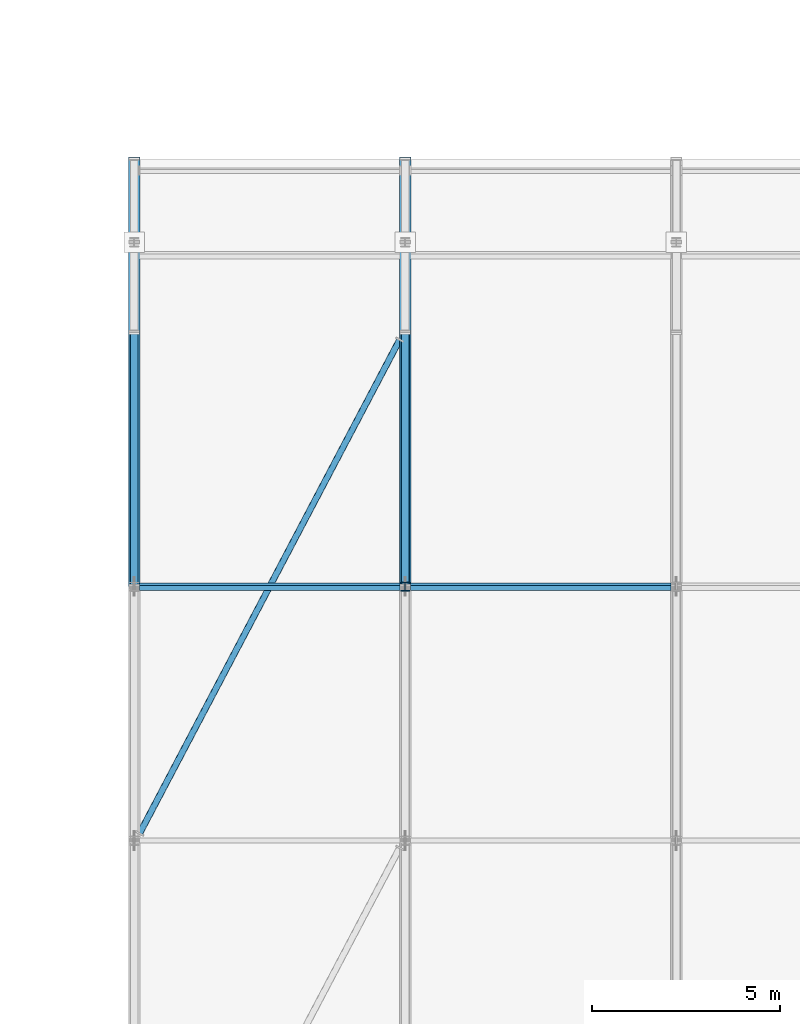
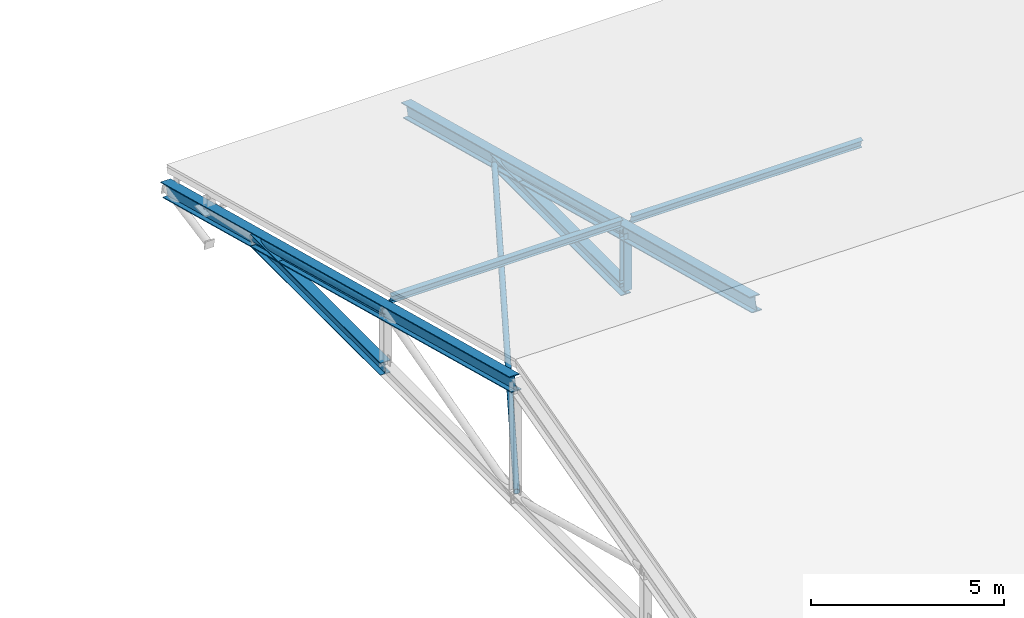
# One storey, part 2 of 57: 8 members, 2 beams.
"""IFC4 building model written with IfcOpenShell, lengths in metres."""

import ifcopenshell
import ifcopenshell.guid

model = None  # the IFC model being written
_history = None  # IfcOwnerHistory: only IFC2X3 demands one
_inside = {}  # id of a spatial element -> (the spatial element, [elements in it])
_under = {}  # id of a project, library or spatial element -> (it, [spatial elements below it])
_declared = {}  # id of a project -> (the project, [libraries it declares])
_typed = {}  # id of a type object -> (the type object, [elements of that type])
_made_of = {}  # id of a material, layer set ... -> (it, [elements and type objects made of it])


def new_model(schema):
    """Start an empty IFC model of exactly this schema.

    Asked for "IFC4X3", IfcOpenShell would pick the latest addendum, in which some entities
    have other attributes; the version numbers below select the first issue.
    IFC2X3 requires an IfcOwnerHistory on every rooted entity: one is made here for all.
    """
    global model, _history
    if schema == "IFC4X3":
        model = ifcopenshell.file(schema_version=(4, 3, 0, 0))
    else:
        model = ifcopenshell.file(schema=schema)
    _inside.clear()
    _under.clear()
    _declared.clear()
    _typed.clear()
    _made_of.clear()
    _history = None
    if model.schema == "IFC2X3":
        org = make("IfcOrganization", Name="unknown")
        user = make(
            "IfcPersonAndOrganization",
            ThePerson=make("IfcPerson", FamilyName="unknown"),
            TheOrganization=org,
        )
        app = make(
            "IfcApplication",
            ApplicationDeveloper=org,
            Version="unknown",
            ApplicationFullName="unknown",
            ApplicationIdentifier="unknown",
        )
        _history = make(
            "IfcOwnerHistory",
            OwningUser=user,
            OwningApplication=app,
            ChangeAction="ADDED",
            CreationDate=0,
        )
    return model


def make(cls, **values):
    """One entity of the class cls with the attributes given. An attribute that is None is left unset."""
    return model.create_entity(
        cls, **{name: value for name, value in values.items() if value is not None}
    )


def rooted(cls, **values):
    """An entity with a GlobalId (a new one), such as an element, a storey or a relation."""
    return make(cls, GlobalId=ifcopenshell.guid.new(), OwnerHistory=_history, **values)


def si_unit(unit_type, name, prefix=None):
    """IfcSIUnit, for example si_unit("LENGTHUNIT", "METRE", prefix="MILLI")."""
    return make("IfcSIUnit", UnitType=unit_type, Prefix=prefix, Name=name)


def assignment(units):
    """IfcUnitAssignment: the units of a project."""
    return None if units is None else make("IfcUnitAssignment", Units=units)


def point(xyz):
    """IfcCartesianPoint."""
    return None if xyz is None else make("IfcCartesianPoint", Coordinates=xyz)


def direction(xyz):
    """IfcDirection."""
    return None if xyz is None else make("IfcDirection", DirectionRatios=xyz)


def frame(location, z_axis=None, x_axis=None):
    """IfcAxis2Placement3D, a coordinate frame: its origin and axes. An axis left out is left unset."""
    return make(
        "IfcAxis2Placement3D",
        Location=point(location),
        Axis=direction(z_axis),
        RefDirection=direction(x_axis),
    )


def frame_2d(location, x_axis=None):
    """IfcAxis2Placement2D, a coordinate frame in the plane: its origin and x axis."""
    return make(
        "IfcAxis2Placement2D", Location=point(location), RefDirection=direction(x_axis)
    )


def origin():
    """The frame at (0, 0, 0) with its axes left unset."""
    return frame((0.0, 0.0, 0.0))


def origin_2d():
    """The frame at (0, 0) in the plane with its x axis left unset."""
    return frame_2d((0.0, 0.0))


def place(relative_to, where):
    """IfcLocalPlacement: puts the frame where relative to a parent placement (None: the world)."""
    return make(
        "IfcLocalPlacement", PlacementRelTo=relative_to, RelativePlacement=where
    )


def context(
    kind, dimensions, precision=None, world=None, true_north=None, identifier=None
):
    """IfcGeometricRepresentationContext, for example the 3D "Model" context."""
    return make(
        "IfcGeometricRepresentationContext",
        ContextIdentifier=identifier,
        ContextType=kind,
        CoordinateSpaceDimension=dimensions,
        Precision=precision,
        WorldCoordinateSystem=world,
        TrueNorth=true_north,
    )


def subcontext(parent, identifier, kind, view, scale=None):
    """IfcGeometricRepresentationSubContext, for example "Body" below "Model"."""
    return make(
        "IfcGeometricRepresentationSubContext",
        ContextIdentifier=identifier,
        ContextType=kind,
        ParentContext=parent,
        TargetScale=scale,
        TargetView=view,
    )


def project(units=None, contexts=None):
    """IfcProject with its units and contexts."""
    return rooted(
        "IfcProject",
        Name="project",
        RepresentationContexts=contexts,
        UnitsInContext=assignment(units),
    )


def spatial(cls, under=None, at=None, **own):
    """A site, building, storey or space (cls), placed at a placement, below another one or the project."""
    s = rooted(cls, ObjectPlacement=at, **own)
    if under is not None:
        _under.setdefault(under.id(), (under, []))[1].append(s)
    return s


def profile(cls, at=None, kind="AREA", **sizes):
    """A parametric profile (cls). Its sizes go by their IFC names, for example OverallWidth=200.0."""
    return make(cls, ProfileType=kind, Position=at, **sizes)


def hollow_circle(**sizes):
    """IfcCircleHollowProfileDef."""
    return profile("IfcCircleHollowProfileDef", **sizes)


def i_section(**sizes):
    """IfcIShapeProfileDef."""
    return profile("IfcIShapeProfileDef", **sizes)


def extrude(swept, where, along, depth):
    """IfcExtrudedAreaSolid: the profile swept, set in the frame where, extruded along a direction by depth."""
    return make(
        "IfcExtrudedAreaSolid",
        SweptArea=swept,
        Position=where,
        ExtrudedDirection=direction(along),
        Depth=depth,
    )


def shape(context_of_items, identifier, shape_type, items):
    """IfcShapeRepresentation: the items that make up one representation, for example the "Body"."""
    return make(
        "IfcShapeRepresentation",
        ContextOfItems=context_of_items,
        RepresentationIdentifier=identifier,
        RepresentationType=shape_type,
        Items=items,
    )


def material(Name=None, Category=None):
    """IfcMaterial."""
    return make("IfcMaterial", Name=Name, Category=Category)


def material_profile(
    of_material, cross_section, Name=None, Category=None, Priority=None
):
    """IfcMaterialProfile: a cross section and its material."""
    return make(
        "IfcMaterialProfile",
        Name=Name,
        Material=of_material,
        Profile=cross_section,
        Priority=Priority,
        Category=Category,
    )


def profile_set(profiles, Name=None, composite=None):
    """IfcMaterialProfileSet."""
    return make(
        "IfcMaterialProfileSet",
        Name=Name,
        MaterialProfiles=profiles,
        CompositeProfile=composite,
    )


def made_of(thing, what):
    """Note that an element or type object is made of a material, layer set ...; save() writes the relation."""
    if what is not None:
        _made_of.setdefault(what.id(), (what, []))[1].append(thing)
    return thing


def type_object(cls, material=None, **own):
    """A type object (cls), such as IfcWallType, which elements share."""
    return made_of(rooted(cls, **own), material)


def element(
    cls,
    number,
    at=None,
    inside=None,
    cuts=None,
    type_object=None,
    material=None,
    context=None,
    identifier="Body",
    shape_type=None,
    held_by="IfcProductDefinitionShape",
    body=None,
    shapes=None,
    **own,
):
    """One element of the class cls, such as IfcWall. Its Tag is "e" and its number.

    at: its placement. inside: the storey or other place that contains it. cuts: it is an
    opening in that element (IfcRelVoidsElement). A single representation is given by context,
    identifier, shape_type and body (its items); several are given by shapes. held_by: the class
    of the entity that holds the representations. save() writes the other relations.
    """
    e = rooted(cls, Tag="e%d" % number, ObjectPlacement=at, **own)
    if body is not None:
        shapes = [shape(context, identifier, shape_type, body)]
    if shapes is not None:
        e.Representation = make(held_by, Representations=shapes)
    if inside is not None:
        _inside.setdefault(inside.id(), (inside, []))[1].append(e)
    if cuts is not None:
        rooted(
            "IfcRelVoidsElement", RelatingBuildingElement=cuts, RelatedOpeningElement=e
        )
    if type_object is not None:
        _typed.setdefault(type_object.id(), (type_object, []))[1].append(e)
    return made_of(e, material)


def aggregate(whole, parts):
    """IfcRelAggregates: a whole, such as a stair, and the parts it consists of."""
    return rooted("IfcRelAggregates", RelatingObject=whole, RelatedObjects=parts)


def save(model, path):
    """Write the relations noted so far, then the file.

    IfcRelAggregates (storeys below a building ...), IfcRelContainedInSpatialStructure (elements
    in a storey), IfcRelDefinesByType, IfcRelAssociatesMaterial and IfcRelDeclares: one each for
    every whole, place, type object, material and project.
    """
    for whole, parts in _under.values():
        aggregate(whole, parts)
    for where, things in _inside.values():
        rooted(
            "IfcRelContainedInSpatialStructure",
            RelatedElements=things,
            RelatingStructure=where,
        )
    for kind, things in _typed.values():
        rooted("IfcRelDefinesByType", RelatedObjects=things, RelatingType=kind)
    for what, things in _made_of.values():
        rooted("IfcRelAssociatesMaterial", RelatedObjects=things, RelatingMaterial=what)
    for by, libraries in _declared.values():
        rooted("IfcRelDeclares", RelatingContext=by, RelatedDefinitions=libraries)
    model.write(path)


model = new_model("IFC4")

# Units and contexts
model_context = context("Model", 3, precision=1e-05, world=origin(), true_north=direction((0.0, 1.0)))
body_context = subcontext(model_context, "Body", "Model", "MODEL_VIEW")
ifc_project = project(units=[si_unit("LENGTHUNIT", "METRE"), si_unit("AREAUNIT", "SQUARE_METRE"), si_unit("VOLUMEUNIT", "CUBIC_METRE"), si_unit("PLANEANGLEUNIT", "RADIAN"), si_unit("MASSUNIT", "GRAM", prefix="KILO")], contexts=[model_context])

# Site, building, storey
site_placement = place(None, origin())
site = spatial("IfcSite", under=ifc_project, at=site_placement, CompositionType="ELEMENT")
building_placement = place(site_placement, origin())
building = spatial("IfcBuilding", under=site, at=building_placement, Name="Kelarvand Opera House", CompositionType="ELEMENT")
storey_placement = place(building_placement, frame((0.0, 0.0, 33.60009765625)))
storey = spatial("IfcBuildingStorey", under=building, at=storey_placement, Name="Roof", CompositionType="ELEMENT", Elevation=33.60009765625)

# Members
ifc_material = material(Name="Steel S355", Category="steel")
ifc_material_profile_1 = material_profile(ifc_material, hollow_circle(Radius=0.084228515625, WallThickness=0.008056640625, at=origin_2d()), Name="CHS 168.3x8.0", Category="steel")
ifc_profile_set_1 = profile_set([ifc_material_profile_1], Name="Steel S355")
member_type_1 = type_object("IfcMemberType", Name="Structural Brace CHS 168.3x8.0 BR-CHS168", PredefinedType="BRACE", material=ifc_profile_set_1)
member_1_placement = place(storey_placement, frame((59.35009765625, 62.699951171875, 0.52001953125), z_axis=(0.466016890675, 0.884775823362, 0.0), x_axis=(-0.884775823362, 0.466016890675, 0.0)))
element("IfcMember", 1, at=member_1_placement, inside=storey, type_object=member_type_1, Name="V2 Roof Wind Brace 1.2", PredefinedType="BRACE", context=body_context, shape_type="SweptSolid", body=[
    extrude(hollow_circle(Radius=0.084228515625, WallThickness=0.008056640625, at=origin_2d()), origin(), (0.0, 0.0, 1.0), 14.80615234375),
])
ifc_material_profile_2 = material_profile(ifc_material, hollow_circle(Radius=0.109619140625, WallThickness=0.010009765625, at=origin_2d()), Name="CHS 219.1x10.0", Category="steel")
ifc_profile_set_2 = profile_set([ifc_material_profile_2], Name="Steel S355")
member_type_2 = type_object("IfcMemberType", Name="Structural Brace CHS 219.1x10.0 BR-CHS219", PredefinedType="BRACE", material=ifc_profile_set_2)
for number, where, z_axis, x_axis, name in (
    (2, (59.199951171875, 69.25, 2.334716796875), (0.0, 0.965709449252, -0.259625229177), (-1.0, 0.0, 0.0), "V2 Roof Truss 1 Web Diagonal 4"),
    (3, (66.39990234375, 69.25, 2.334716796875), (0.0, 0.965709449252, -0.259625229177), (-1.0, 0.0, 0.0), "V2 Roof Truss 2 Web Diagonal 4"),
):
    element("IfcMember", number, at=place(storey_placement, frame(where, z_axis=z_axis, x_axis=x_axis)), inside=storey, type_object=member_type_2, Name=name, PredefinedType="BRACE", context=body_context, shape_type="SweptSolid", body=[
        extrude(hollow_circle(Radius=0.109619140625, WallThickness=0.010009765625, at=origin_2d()), origin(), (0.0, 0.0, 1.0), 6.98974609375),
    ])
ifc_material_profile_3 = material_profile(ifc_material, i_section(OverallWidth=0.300048828125, OverallDepth=0.39990234375, WebThickness=0.013427734375, FlangeThickness=0.02392578125, at=origin_2d()), Name="HEB 400", Category="steel")
ifc_profile_set_3 = profile_set([ifc_material_profile_3], Name="Steel S355")
member_type_3 = type_object("IfcMemberType", Name="Structural Chord HEB 400 CH-HEB400", PredefinedType="CHORD", material=ifc_profile_set_3)
for number, where, z_axis, x_axis, name in (
    (4, (59.199951171875, 69.25, 0.52001953125), (0.0, 1.0, 0.0), (-1.0, 0.0, 0.0), "V2 Roof Truss 1 Bottom Chord 4"),
    (5, (66.39990234375, 69.25, 0.52001953125), (0.0, 1.0, 0.0), (-1.0, 0.0, 0.0), "V2 Roof Truss 2 Bottom Chord 4"),
):
    element("IfcMember", number, at=place(storey_placement, frame(where, z_axis=z_axis, x_axis=x_axis)), inside=storey, type_object=member_type_3, Name=name, PredefinedType="CHORD", context=body_context, shape_type="SweptSolid", body=[
        extrude(i_section(OverallWidth=0.300048828125, OverallDepth=0.39990234375, WebThickness=0.013427734375, FlangeThickness=0.02392578125, at=origin_2d()), origin(), (0.0, 0.0, 1.0), 6.75),
    ])
ifc_material_profile_4 = material_profile(ifc_material, i_section(OverallWidth=0.239990234375, OverallDepth=0.239990234375, WebThickness=0.010009765625, FlangeThickness=0.01708984375, at=origin_2d()), Name="HEB 240", Category="steel")
ifc_profile_set_4 = profile_set([ifc_material_profile_4], Name="Steel S355")
member_type_4 = type_object("IfcMemberType", Name="Structural Post HEB 240 PS-HEB240", PredefinedType="POST", material=ifc_profile_set_4)
member_2_placement = place(storey_placement, frame((66.39990234375, 69.25, 0.52001953125), z_axis=(0.0, 0.0, 1.0), x_axis=(1.0, 0.0, 0.0)))
element("IfcMember", 6, at=member_2_placement, inside=storey, type_object=member_type_4, Name="V2 Roof Truss 2 Post 3", PredefinedType="POST", context=body_context, shape_type="SweptSolid", body=[
    extrude(i_section(OverallWidth=0.239990234375, OverallDepth=0.239990234375, WebThickness=0.010009765625, FlangeThickness=0.01708984375, at=origin_2d()), origin(), (0.0, 0.0, 1.0), 1.814697265625),
])
ifc_material_profile_5 = material_profile(ifc_material, i_section(OverallWidth=0.135009765625, OverallDepth=0.27001953125, WebThickness=0.006591796875, FlangeThickness=0.01025390625, at=origin_2d()), Name="IPE 270", Category="steel")
ifc_profile_set_5 = profile_set([ifc_material_profile_5], Name="Steel S355")
member_type_5 = type_object("IfcMemberType", Name="Structural Purlin IPE 270 PR-IPE270", PredefinedType="PURLIN", material=ifc_profile_set_5)
for number, where, z_axis, x_axis, name in (
    (7, (59.340087890625, 69.25, 2.6728515625), (1.0, 0.0, 0.0), (0.0, 0.966600102017, 0.256289373133), "V2 Roof Purlin 1.5"),
    (8, (66.5400390625, 69.25, 2.6728515625), (1.0, 0.0, 0.0), (0.0, 0.966600102017, 0.256289373133), "V2 Roof Purlin 2.5"),
):
    element("IfcMember", number, at=place(storey_placement, frame(where, z_axis=z_axis, x_axis=x_axis)), inside=storey, type_object=member_type_5, Name=name, PredefinedType="PURLIN", context=body_context, shape_type="SweptSolid", body=[
        extrude(i_section(OverallWidth=0.135009765625, OverallDepth=0.27001953125, WebThickness=0.006591796875, FlangeThickness=0.01025390625, at=origin_2d()), origin(), (0.0, 0.0, 1.0), 6.919921875),
    ])

# Beams
ifc_material_profile_6 = material_profile(ifc_material, i_section(OverallWidth=0.300048828125, OverallDepth=0.449951171875, WebThickness=0.013916015625, FlangeThickness=0.02587890625, at=origin_2d()), Name="HEB 450", Category="steel")
ifc_profile_set_6 = profile_set([ifc_material_profile_6], Name="Steel S355")
beam_type = type_object("IfcBeamType", Name="Structural Roof Truss HEB 450 RT-HEB450", PredefinedType="USERDEFINED", material=ifc_profile_set_6)
for number, where, z_axis, x_axis, name in (
    (9, (59.199951171875, 62.5, 4.12451171875), (0.0, 0.966591492403, -0.256321842249), (-1.0, 0.0, 0.0), "V2 Roof Truss 1 Top Chord Rafter 2"),
    (10, (66.39990234375, 62.5, 4.12451171875), (0.0, 0.966591492403, -0.256321842249), (-1.0, 0.0, 0.0), "V2 Roof Truss 2 Top Chord Rafter 2"),
):
    element("IfcBeam", number, at=place(storey_placement, frame(where, z_axis=z_axis, x_axis=x_axis)), inside=storey, type_object=beam_type, Name=name, ObjectType="ROOF TRUSS", PredefinedType="USERDEFINED", context=body_context, shape_type="SweptSolid", body=[
        extrude(i_section(OverallWidth=0.300048828125, OverallDepth=0.449951171875, WebThickness=0.013916015625, FlangeThickness=0.02587890625, at=origin_2d()), origin(), (0.0, 0.0, 1.0), 18.7255859375),
    ])

save(model, "model.ifc")
